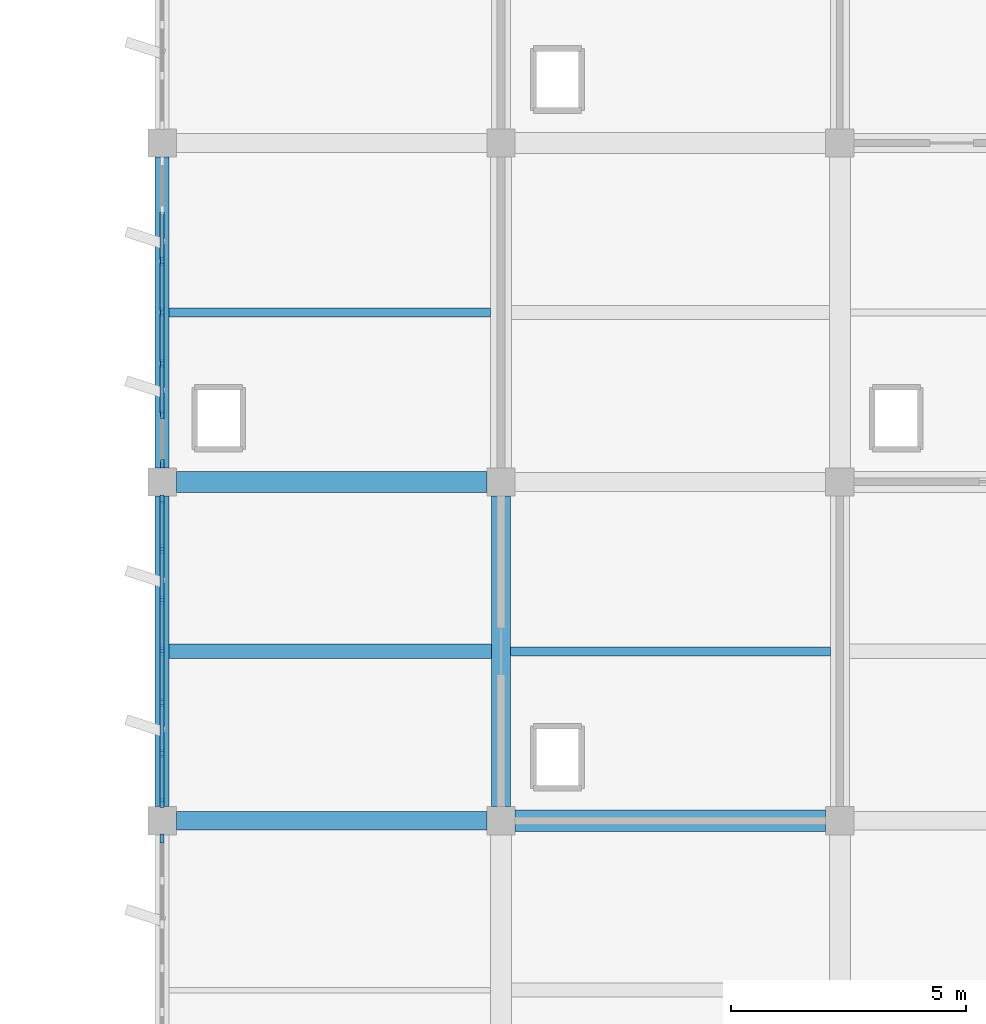
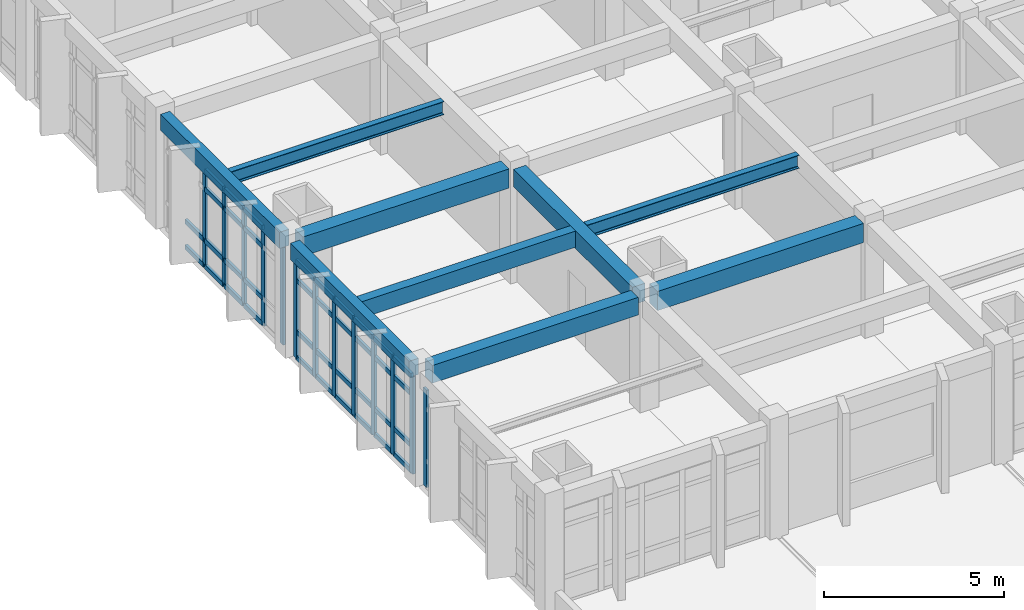
# One storey, part 15 of 62: 53 members, 7 beams, 3 elements without a shape of their own.
"""IFC4 building model written with IfcOpenShell, lengths in metres."""

from ifc_helpers import new_model, si_unit, direction, frame, origin, origin_2d, place, context, subcontext, project, spatial, rectangle, i_section, extrude, material, layer, layer_set, material_profile, profile_set, type_object, element, aggregate, save


model = new_model("IFC4")

# Units and contexts
model_context = context("Model", 3, precision=1e-05, world=origin(), true_north=direction((0.0, 1.0)))
body_context = subcontext(model_context, "Body", "Model", "MODEL_VIEW")
ifc_project = project(units=[si_unit("LENGTHUNIT", "METRE"), si_unit("AREAUNIT", "SQUARE_METRE"), si_unit("VOLUMEUNIT", "CUBIC_METRE"), si_unit("PLANEANGLEUNIT", "RADIAN"), si_unit("MASSUNIT", "GRAM", prefix="KILO")], contexts=[model_context])

# Site, building, storey
site_placement = place(None, origin())
site = spatial("IfcSite", under=ifc_project, at=site_placement, CompositionType="ELEMENT")
building_placement = place(site_placement, origin())
building = spatial("IfcBuilding", under=site, at=building_placement, Name="Kavelor Marine Aquarium", CompositionType="ELEMENT")
storey_placement = place(building_placement, frame((0.0, 0.0, 13.5)))
storey = spatial("IfcBuildingStorey", under=building, at=storey_placement, Name="L03", CompositionType="ELEMENT", Elevation=13.5)

# Beams
ifc_material_1 = material(Name="Concrete C40/50", Category="concrete")
ifc_material_profile_1 = material_profile(ifc_material_1, rectangle(XDim=0.449951171875, YDim=0.64990234375, at=origin_2d()), Name="RC-BM 450x650")
ifc_profile_set_1 = profile_set([ifc_material_profile_1], Name="Concrete C40/50")
beam_type_1 = type_object("IfcBeamType", Name="BM-B3", PredefinedType="BEAM", material=ifc_profile_set_1)
for number, where, z_axis, x_axis, name in (
    (1, (118.699951171875, 74.800048828125, 3.534912109375), (1.0, 0.0, 0.0), (0.0, 1.0, 0.0), "bm:x:L03:L04:16_10"),
    (2, (125.89990234375, 67.60009765625, 3.534912109375), (1.0, 0.0, 0.0), (0.0, 1.0, 0.0), "bm:x:L03:L04:17_09"),
):
    element("IfcBeam", number, at=place(storey_placement, frame(where, z_axis=z_axis, x_axis=x_axis)), inside=storey, type_object=beam_type_1, Name=name, PredefinedType="BEAM", context=body_context, shape_type="SweptSolid", body=[
        extrude(rectangle(XDim=0.449951171875, YDim=0.64990234375, at=origin_2d()), origin(), (0.0, 0.0, 1.0), 6.60009765625),
    ])
ifc_material_2 = material(Name="Concrete C40/50", Category="concrete")
ifc_material_profile_2 = material_profile(ifc_material_2, rectangle(XDim=0.39990234375, YDim=0.60009765625, at=origin_2d()), Name="RC-BM 400x600")
ifc_profile_set_2 = profile_set([ifc_material_profile_2], Name="Concrete C40/50")
beam_type_2 = type_object("IfcBeamType", Name="BM-B4", PredefinedType="BEAM", material=ifc_profile_set_2)
for number, where, z_axis, x_axis, name in (
    (3, (118.699951171875, 67.60009765625, 3.56005859375), (1.0, 0.0, 0.0), (0.0, 1.0, 0.0), "bm:x:L03:L04:16_09"),
    (4, (125.60009765625, 67.89990234375, 3.56005859375), (0.0, 1.0, 0.0), (-1.0, 0.0, 0.0), "bm:y:L03:L04:17_09"),
):
    element("IfcBeam", number, at=place(storey_placement, frame(where, z_axis=z_axis, x_axis=x_axis)), inside=storey, type_object=beam_type_2, Name=name, PredefinedType="BEAM", context=body_context, shape_type="SweptSolid", body=[
        extrude(rectangle(XDim=0.39990234375, YDim=0.60009765625, at=origin_2d()), origin(), (0.0, 0.0, 1.0), 6.60009765625),
    ])
ifc_material_3 = material(Name="Concrete C40/50", Category="concrete")
ifc_material_profile_3 = material_profile(ifc_material_3, rectangle(XDim=0.300048828125, YDim=0.550048828125, at=origin_2d()), Name="RC-JS 300x550")
ifc_profile_set_3 = profile_set([ifc_material_profile_3], Name="Concrete C40/50")
beam_type_3 = type_object("IfcBeamType", Name="BM-JS2", PredefinedType="JOIST", material=ifc_profile_set_3)
beam_1_placement = place(storey_placement, frame((118.550048828125, 71.199951171875, 3.5849609375), z_axis=(1.0, 0.0, 0.0), x_axis=(0.0, 1.0, 0.0)))
element("IfcBeam", 5, at=beam_1_placement, inside=storey, type_object=beam_type_3, Name="js:L03:L04:16_09", PredefinedType="JOIST", context=body_context, shape_type="SweptSolid", body=[
    extrude(rectangle(XDim=0.300048828125, YDim=0.550048828125, at=origin_2d()), origin(), (0.0, 0.0, 1.0), 6.849853515625),
])
ifc_material_4 = material(Name="Concrete C40/50", Category="concrete")
ifc_material_profile_4 = material_profile(ifc_material_4, rectangle(XDim=0.300048828125, YDim=0.550048828125, at=origin_2d()), Name="RC-SP 300x550")
ifc_profile_set_4 = profile_set([ifc_material_profile_4], Name="Concrete C40/50")
beam_type_4 = type_object("IfcBeamType", Name="BM-SP2", PredefinedType="SPANDREL", material=ifc_profile_set_4)
beam_2_placement = place(storey_placement, frame((118.39990234375, 67.89990234375, 3.5849609375), z_axis=(0.0, 1.0, 0.0), x_axis=(-1.0, 0.0, 0.0)))
element("IfcBeam", 6, at=beam_2_placement, inside=storey, type_object=beam_type_4, Name="bm:y:L03:L04:16_09", PredefinedType="SPANDREL", context=body_context, shape_type="SweptSolid", body=[
    extrude(rectangle(XDim=0.300048828125, YDim=0.550048828125, at=origin_2d()), origin(), (0.0, 0.0, 1.0), 6.60009765625),
])
beam_3_placement = place(storey_placement, frame((118.39990234375, 75.10009765625, 3.5849609375), z_axis=(0.0, 1.0, 0.0), x_axis=(-1.0, 0.0, 0.0)))
element("IfcBeam", 7, at=beam_3_placement, inside=storey, type_object=beam_type_4, Name="bm:y:L03:L04:16_10", PredefinedType="SPANDREL", context=body_context, shape_type="SweptSolid", body=[
    extrude(rectangle(XDim=0.300048828125, YDim=0.550048828125, at=origin_2d()), origin(), (0.0, 0.0, 1.0), 6.599853515625),
])

# Curtain wall, members
ifc_material_5 = material(Name="Thermally Broken Aluminium and Low-E Glass", Category="aluminium")
ifc_layer_1 = layer(ifc_material_5, 0.172119140625)
ifc_layer_set_1 = layer_set([ifc_layer_1], Name="CW-SYS4")
curtain_wall_type_1 = type_object("IfcCurtainWallType", Name="CW-SYS4", PredefinedType="USERDEFINED", material=ifc_layer_set_1)
curtain_wall_1_placement = place(storey_placement, origin())
curtain_wall_1 = element("IfcCurtainWall", 8, at=curtain_wall_1_placement, inside=storey, type_object=curtain_wall_type_1, Name="cw:y:L03:16_10", ObjectType="Curtain Wall", PredefinedType="USERDEFINED")
ifc_material_6 = material(Name="Anodised Aluminium Alloy 6063-T6", Category="aluminium")
ifc_material_profile_5 = material_profile(ifc_material_6, rectangle(XDim=0.074951171875, YDim=0.179931640625, at=origin_2d()), Name="CW-MUL 75x180")
ifc_profile_set_5 = profile_set([ifc_material_profile_5], Name="Anodised Aluminium Alloy 6063-T6")
member_type_1 = type_object("IfcMemberType", Name="CWM-1", PredefinedType="MULLION", material=ifc_profile_set_5)
member_1_placement = place(storey_placement, frame((118.39990234375, 79.485107421875, 0.0), z_axis=(0.0, 0.0, 1.0), x_axis=(1.0, 0.0, 0.0)))
member_1 = element("IfcMember", 9, at=member_1_placement, type_object=member_type_1, Name="CW04 mullion 3", PredefinedType="MULLION", context=body_context, shape_type="SweptSolid", body=[
    extrude(rectangle(XDim=0.074951171875, YDim=0.179931640625, at=origin_2d()), origin(), (0.0, 0.0, 1.0), 3.300048828125),
])
member_2_placement = place(storey_placement, frame((118.39990234375, 78.39990234375, 0.0), z_axis=(0.0, 0.0, 1.0), x_axis=(1.0, 0.0, 0.0)))
member_2 = element("IfcMember", 10, at=member_2_placement, type_object=member_type_1, Name="CW04 mullion 4", PredefinedType="MULLION", context=body_context, shape_type="SweptSolid", body=[
    extrude(rectangle(XDim=0.074951171875, YDim=0.179931640625, at=origin_2d()), origin(), (0.0, 0.0, 1.0), 3.300048828125),
])
member_3_placement = place(storey_placement, frame((118.39990234375, 77.31494140625, 0.0), z_axis=(0.0, 0.0, 1.0), x_axis=(1.0, 0.0, 0.0)))
member_3 = element("IfcMember", 11, at=member_3_placement, type_object=member_type_1, Name="CW04 mullion 5", PredefinedType="MULLION", context=body_context, shape_type="SweptSolid", body=[
    extrude(rectangle(XDim=0.074951171875, YDim=0.179931640625, at=origin_2d()), origin(), (0.0, 0.0, 1.0), 3.300048828125),
])
member_4_placement = place(storey_placement, frame((118.39990234375, 76.22998046875, 0.0), z_axis=(0.0, 0.0, 1.0), x_axis=(1.0, 0.0, 0.0)))
member_4 = element("IfcMember", 12, at=member_4_placement, type_object=member_type_1, Name="CW04 mullion 6", PredefinedType="MULLION", context=body_context, shape_type="SweptSolid", body=[
    extrude(rectangle(XDim=0.074951171875, YDim=0.179931640625, at=origin_2d()), origin(), (0.0, 0.0, 1.0), 3.300048828125),
])
member_5_placement = place(storey_placement, frame((118.39990234375, 75.1826171875, 0.0), z_axis=(0.0, 0.0, 1.0), x_axis=(1.0, 0.0, 0.0)))
member_5 = element("IfcMember", 13, at=member_5_placement, type_object=member_type_1, Name="CW04 mullion 7", PredefinedType="MULLION", context=body_context, shape_type="SweptSolid", body=[
    extrude(rectangle(XDim=0.074951171875, YDim=0.179931640625, at=origin_2d()), origin(), (0.0, 0.0, 1.0), 3.300048828125),
])

# Curtain wall, member
ifc_material_7 = material(Name="Thermally Broken Aluminium and Low-E Glass", Category="aluminium")
ifc_layer_2 = layer(ifc_material_7, 0.156005859375)
ifc_layer_set_2 = layer_set([ifc_layer_2], Name="CW-SYS2")
curtain_wall_type_2 = type_object("IfcCurtainWallType", Name="CW-SYS2", PredefinedType="USERDEFINED", material=ifc_layer_set_2)
curtain_wall_2_placement = place(storey_placement, origin())
curtain_wall_2 = element("IfcCurtainWall", 14, at=curtain_wall_2_placement, inside=storey, type_object=curtain_wall_type_2, Name="cw:y:L03:16_08", ObjectType="Curtain Wall", PredefinedType="USERDEFINED")
ifc_material_8 = material(Name="Anodised Aluminium Alloy 6063-T6", Category="aluminium")
ifc_material_profile_6 = material_profile(ifc_material_8, rectangle(XDim=0.080078125, YDim=0.18505859375, at=origin_2d()), Name="CW-MUL 80x185")
ifc_profile_set_6 = profile_set([ifc_material_profile_6], Name="Anodised Aluminium Alloy 6063-T6")
member_type_2 = type_object("IfcMemberType", Name="CWM-2", PredefinedType="MULLION", material=ifc_profile_set_6)
member_6_placement = place(storey_placement, frame((118.39990234375, 67.222412109375, 0.0), z_axis=(0.0, 0.0, 1.0), x_axis=(1.0, 0.0, 0.0)))
member_6 = element("IfcMember", 15, at=member_6_placement, type_object=member_type_2, Name="CW02 mullion 1", PredefinedType="MULLION", context=body_context, shape_type="SweptSolid", body=[
    extrude(rectangle(XDim=0.080078125, YDim=0.18505859375, at=origin_2d()), origin(), (0.0, 0.0, 1.0), 3.300048828125),
])
aggregate(curtain_wall_2, [member_6])

# Curtain wall, members
ifc_material_9 = material(Name="Thermally Broken Aluminium and Low-E Glass", Category="aluminium")
ifc_layer_3 = layer(ifc_material_9, 0.1640625)
ifc_layer_set_3 = layer_set([ifc_layer_3], Name="CW-SYS3")
curtain_wall_type_3 = type_object("IfcCurtainWallType", Name="CW-SYS3", PredefinedType="USERDEFINED", material=ifc_layer_set_3)
curtain_wall_3_placement = place(storey_placement, origin())
curtain_wall_3 = element("IfcCurtainWall", 16, at=curtain_wall_3_placement, inside=storey, type_object=curtain_wall_type_3, Name="cw:y:L03:16_09", ObjectType="Curtain Wall", PredefinedType="USERDEFINED")
ifc_material_10 = material(Name="Anodised Aluminium Alloy 6063-T6", Category="aluminium")
ifc_material_profile_7 = material_profile(ifc_material_10, rectangle(XDim=0.0849609375, YDim=0.18994140625, at=origin_2d()), Name="CW-MUL 85x190")
ifc_profile_set_7 = profile_set([ifc_material_profile_7], Name="Anodised Aluminium Alloy 6063-T6")
member_type_3 = type_object("IfcMemberType", Name="CWM-3", PredefinedType="MULLION", material=ifc_profile_set_7)
member_7_placement = place(storey_placement, frame((118.39990234375, 74.425048828125, 0.0), z_axis=(0.0, 0.0, 1.0), x_axis=(1.0, 0.0, 0.0)))
member_7 = element("IfcMember", 17, at=member_7_placement, type_object=member_type_3, Name="CW03 mullion 1", PredefinedType="MULLION", context=body_context, shape_type="SweptSolid", body=[
    extrude(rectangle(XDim=0.0849609375, YDim=0.18994140625, at=origin_2d()), origin(), (0.0, 0.0, 1.0), 3.300048828125),
])
member_8_placement = place(storey_placement, frame((118.39990234375, 73.3701171875, 0.0), z_axis=(0.0, 0.0, 1.0), x_axis=(1.0, 0.0, 0.0)))
member_8 = element("IfcMember", 18, at=member_8_placement, type_object=member_type_3, Name="CW03 mullion 2", PredefinedType="MULLION", context=body_context, shape_type="SweptSolid", body=[
    extrude(rectangle(XDim=0.0849609375, YDim=0.18994140625, at=origin_2d()), origin(), (0.0, 0.0, 1.0), 3.300048828125),
])
member_9_placement = place(storey_placement, frame((118.39990234375, 72.284912109375, 0.0), z_axis=(0.0, 0.0, 1.0), x_axis=(1.0, 0.0, 0.0)))
member_9 = element("IfcMember", 19, at=member_9_placement, type_object=member_type_3, Name="CW03 mullion 3", PredefinedType="MULLION", context=body_context, shape_type="SweptSolid", body=[
    extrude(rectangle(XDim=0.0849609375, YDim=0.18994140625, at=origin_2d()), origin(), (0.0, 0.0, 1.0), 3.300048828125),
])
member_10_placement = place(storey_placement, frame((118.39990234375, 71.199951171875, 0.0), z_axis=(0.0, 0.0, 1.0), x_axis=(1.0, 0.0, 0.0)))
member_10 = element("IfcMember", 20, at=member_10_placement, type_object=member_type_3, Name="CW03 mullion 4", PredefinedType="MULLION", context=body_context, shape_type="SweptSolid", body=[
    extrude(rectangle(XDim=0.0849609375, YDim=0.18994140625, at=origin_2d()), origin(), (0.0, 0.0, 1.0), 3.300048828125),
])
member_11_placement = place(storey_placement, frame((118.39990234375, 70.114990234375, 0.0), z_axis=(0.0, 0.0, 1.0), x_axis=(1.0, 0.0, 0.0)))
member_11 = element("IfcMember", 21, at=member_11_placement, type_object=member_type_3, Name="CW03 mullion 5", PredefinedType="MULLION", context=body_context, shape_type="SweptSolid", body=[
    extrude(rectangle(XDim=0.0849609375, YDim=0.18994140625, at=origin_2d()), origin(), (0.0, 0.0, 1.0), 3.300048828125),
])
member_12_placement = place(storey_placement, frame((118.39990234375, 69.030029296875, 0.0), z_axis=(0.0, 0.0, 1.0), x_axis=(1.0, 0.0, 0.0)))
member_12 = element("IfcMember", 22, at=member_12_placement, type_object=member_type_3, Name="CW03 mullion 6", PredefinedType="MULLION", context=body_context, shape_type="SweptSolid", body=[
    extrude(rectangle(XDim=0.0849609375, YDim=0.18994140625, at=origin_2d()), origin(), (0.0, 0.0, 1.0), 3.300048828125),
])
member_13_placement = place(storey_placement, frame((118.39990234375, 67.97509765625, 0.0), z_axis=(0.0, 0.0, 1.0), x_axis=(1.0, 0.0, 0.0)))
member_13 = element("IfcMember", 23, at=member_13_placement, type_object=member_type_3, Name="CW03 mullion 7", PredefinedType="MULLION", context=body_context, shape_type="SweptSolid", body=[
    extrude(rectangle(XDim=0.0849609375, YDim=0.18994140625, at=origin_2d()), origin(), (0.0, 0.0, 1.0), 3.300048828125),
])
ifc_material_11 = material(Name="Anodised Aluminium Alloy 6063-T6", Category="aluminium")
ifc_material_profile_8 = material_profile(ifc_material_11, rectangle(XDim=0.080078125, YDim=0.155029296875, at=origin_2d()), Name="CW-TRN 80x155")
ifc_profile_set_8 = profile_set([ifc_material_profile_8], Name="Anodised Aluminium Alloy 6063-T6")
member_type_4 = type_object("IfcMemberType", Name="CWT-2", PredefinedType="USERDEFINED", material=ifc_profile_set_8)
member_14_placement = place(storey_placement, frame((118.39990234375, 74.39501953125, 0.032470703125), z_axis=(0.0, -1.0, 0.0), x_axis=(1.0, 0.0, 0.0)))
member_14 = element("IfcMember", 24, at=member_14_placement, type_object=member_type_4, Name="CW03 transom 1.1", ObjectType="TRANSOM", PredefinedType="USERDEFINED", context=body_context, shape_type="SweptSolid", body=[
    extrude(rectangle(XDim=0.080078125, YDim=0.155029296875, at=origin_2d()), origin(), (0.0, 0.0, 1.0), 0.9951171875),
])
member_15_placement = place(storey_placement, frame((118.39990234375, 74.39501953125, 0.89990234375), z_axis=(0.0, -1.0, 0.0), x_axis=(1.0, 0.0, 0.0)))
member_15 = element("IfcMember", 25, at=member_15_placement, type_object=member_type_4, Name="CW03 transom 1.2", ObjectType="TRANSOM", PredefinedType="USERDEFINED", context=body_context, shape_type="SweptSolid", body=[
    extrude(rectangle(XDim=0.080078125, YDim=0.155029296875, at=origin_2d()), origin(), (0.0, 0.0, 1.0), 0.9951171875),
])
member_16_placement = place(storey_placement, frame((118.39990234375, 74.39501953125, 2.64990234375), z_axis=(0.0, -1.0, 0.0), x_axis=(1.0, 0.0, 0.0)))
member_16 = element("IfcMember", 26, at=member_16_placement, type_object=member_type_4, Name="CW03 transom 1.3", ObjectType="TRANSOM", PredefinedType="USERDEFINED", context=body_context, shape_type="SweptSolid", body=[
    extrude(rectangle(XDim=0.080078125, YDim=0.155029296875, at=origin_2d()), origin(), (0.0, 0.0, 1.0), 0.9951171875),
])
member_17_placement = place(storey_placement, frame((118.39990234375, 74.39501953125, 3.267578125), z_axis=(0.0, -1.0, 0.0), x_axis=(1.0, 0.0, 0.0)))
member_17 = element("IfcMember", 27, at=member_17_placement, type_object=member_type_4, Name="CW03 transom 1.4", ObjectType="TRANSOM", PredefinedType="USERDEFINED", context=body_context, shape_type="SweptSolid", body=[
    extrude(rectangle(XDim=0.080078125, YDim=0.155029296875, at=origin_2d()), origin(), (0.0, 0.0, 1.0), 0.9951171875),
])
member_18_placement = place(storey_placement, frame((118.39990234375, 73.340087890625, 0.032470703125), z_axis=(0.0, -1.0, 0.0), x_axis=(1.0, 0.0, 0.0)))
member_18 = element("IfcMember", 28, at=member_18_placement, type_object=member_type_4, Name="CW03 transom 2.1", ObjectType="TRANSOM", PredefinedType="USERDEFINED", context=body_context, shape_type="SweptSolid", body=[
    extrude(rectangle(XDim=0.080078125, YDim=0.155029296875, at=origin_2d()), origin(), (0.0, 0.0, 1.0), 1.025146484375),
])
member_19_placement = place(storey_placement, frame((118.39990234375, 73.340087890625, 0.89990234375), z_axis=(0.0, -1.0, 0.0), x_axis=(1.0, 0.0, 0.0)))
member_19 = element("IfcMember", 29, at=member_19_placement, type_object=member_type_4, Name="CW03 transom 2.2", ObjectType="TRANSOM", PredefinedType="USERDEFINED", context=body_context, shape_type="SweptSolid", body=[
    extrude(rectangle(XDim=0.080078125, YDim=0.155029296875, at=origin_2d()), origin(), (0.0, 0.0, 1.0), 1.025146484375),
])
member_20_placement = place(storey_placement, frame((118.39990234375, 73.340087890625, 2.64990234375), z_axis=(0.0, -1.0, 0.0), x_axis=(1.0, 0.0, 0.0)))
member_20 = element("IfcMember", 30, at=member_20_placement, type_object=member_type_4, Name="CW03 transom 2.3", ObjectType="TRANSOM", PredefinedType="USERDEFINED", context=body_context, shape_type="SweptSolid", body=[
    extrude(rectangle(XDim=0.080078125, YDim=0.155029296875, at=origin_2d()), origin(), (0.0, 0.0, 1.0), 1.025146484375),
])
member_21_placement = place(storey_placement, frame((118.39990234375, 73.340087890625, 3.267578125), z_axis=(0.0, -1.0, 0.0), x_axis=(1.0, 0.0, 0.0)))
member_21 = element("IfcMember", 31, at=member_21_placement, type_object=member_type_4, Name="CW03 transom 2.4", ObjectType="TRANSOM", PredefinedType="USERDEFINED", context=body_context, shape_type="SweptSolid", body=[
    extrude(rectangle(XDim=0.080078125, YDim=0.155029296875, at=origin_2d()), origin(), (0.0, 0.0, 1.0), 1.025146484375),
])
member_22_placement = place(storey_placement, frame((118.39990234375, 72.2548828125, 0.032470703125), z_axis=(0.0, -1.0, 0.0), x_axis=(1.0, 0.0, 0.0)))
member_22 = element("IfcMember", 32, at=member_22_placement, type_object=member_type_4, Name="CW03 transom 3.1", ObjectType="TRANSOM", PredefinedType="USERDEFINED", context=body_context, shape_type="SweptSolid", body=[
    extrude(rectangle(XDim=0.080078125, YDim=0.155029296875, at=origin_2d()), origin(), (0.0, 0.0, 1.0), 1.02490234375),
])
member_23_placement = place(storey_placement, frame((118.39990234375, 72.2548828125, 0.89990234375), z_axis=(0.0, -1.0, 0.0), x_axis=(1.0, 0.0, 0.0)))
member_23 = element("IfcMember", 33, at=member_23_placement, type_object=member_type_4, Name="CW03 transom 3.2", ObjectType="TRANSOM", PredefinedType="USERDEFINED", context=body_context, shape_type="SweptSolid", body=[
    extrude(rectangle(XDim=0.080078125, YDim=0.155029296875, at=origin_2d()), origin(), (0.0, 0.0, 1.0), 1.02490234375),
])
member_24_placement = place(storey_placement, frame((118.39990234375, 72.2548828125, 2.64990234375), z_axis=(0.0, -1.0, 0.0), x_axis=(1.0, 0.0, 0.0)))
member_24 = element("IfcMember", 34, at=member_24_placement, type_object=member_type_4, Name="CW03 transom 3.3", ObjectType="TRANSOM", PredefinedType="USERDEFINED", context=body_context, shape_type="SweptSolid", body=[
    extrude(rectangle(XDim=0.080078125, YDim=0.155029296875, at=origin_2d()), origin(), (0.0, 0.0, 1.0), 1.02490234375),
])
member_25_placement = place(storey_placement, frame((118.39990234375, 72.2548828125, 3.267578125), z_axis=(0.0, -1.0, 0.0), x_axis=(1.0, 0.0, 0.0)))
member_25 = element("IfcMember", 35, at=member_25_placement, type_object=member_type_4, Name="CW03 transom 3.4", ObjectType="TRANSOM", PredefinedType="USERDEFINED", context=body_context, shape_type="SweptSolid", body=[
    extrude(rectangle(XDim=0.080078125, YDim=0.155029296875, at=origin_2d()), origin(), (0.0, 0.0, 1.0), 1.02490234375),
])
member_26_placement = place(storey_placement, frame((118.39990234375, 71.169921875, 0.032470703125), z_axis=(0.0, -1.0, 0.0), x_axis=(1.0, 0.0, 0.0)))
member_26 = element("IfcMember", 36, at=member_26_placement, type_object=member_type_4, Name="CW03 transom 4.1", ObjectType="TRANSOM", PredefinedType="USERDEFINED", context=body_context, shape_type="SweptSolid", body=[
    extrude(rectangle(XDim=0.080078125, YDim=0.155029296875, at=origin_2d()), origin(), (0.0, 0.0, 1.0), 1.02490234375),
])
member_27_placement = place(storey_placement, frame((118.39990234375, 71.169921875, 0.89990234375), z_axis=(0.0, -1.0, 0.0), x_axis=(1.0, 0.0, 0.0)))
member_27 = element("IfcMember", 37, at=member_27_placement, type_object=member_type_4, Name="CW03 transom 4.2", ObjectType="TRANSOM", PredefinedType="USERDEFINED", context=body_context, shape_type="SweptSolid", body=[
    extrude(rectangle(XDim=0.080078125, YDim=0.155029296875, at=origin_2d()), origin(), (0.0, 0.0, 1.0), 1.02490234375),
])
member_28_placement = place(storey_placement, frame((118.39990234375, 71.169921875, 2.64990234375), z_axis=(0.0, -1.0, 0.0), x_axis=(1.0, 0.0, 0.0)))
member_28 = element("IfcMember", 38, at=member_28_placement, type_object=member_type_4, Name="CW03 transom 4.3", ObjectType="TRANSOM", PredefinedType="USERDEFINED", context=body_context, shape_type="SweptSolid", body=[
    extrude(rectangle(XDim=0.080078125, YDim=0.155029296875, at=origin_2d()), origin(), (0.0, 0.0, 1.0), 1.02490234375),
])
member_29_placement = place(storey_placement, frame((118.39990234375, 71.169921875, 3.267578125), z_axis=(0.0, -1.0, 0.0), x_axis=(1.0, 0.0, 0.0)))
member_29 = element("IfcMember", 39, at=member_29_placement, type_object=member_type_4, Name="CW03 transom 4.4", ObjectType="TRANSOM", PredefinedType="USERDEFINED", context=body_context, shape_type="SweptSolid", body=[
    extrude(rectangle(XDim=0.080078125, YDim=0.155029296875, at=origin_2d()), origin(), (0.0, 0.0, 1.0), 1.02490234375),
])
member_30_placement = place(storey_placement, frame((118.39990234375, 70.0849609375, 0.032470703125), z_axis=(0.0, -1.0, 0.0), x_axis=(1.0, 0.0, 0.0)))
member_30 = element("IfcMember", 40, at=member_30_placement, type_object=member_type_4, Name="CW03 transom 5.1", ObjectType="TRANSOM", PredefinedType="USERDEFINED", context=body_context, shape_type="SweptSolid", body=[
    extrude(rectangle(XDim=0.080078125, YDim=0.155029296875, at=origin_2d()), origin(), (0.0, 0.0, 1.0), 1.02490234375),
])
member_31_placement = place(storey_placement, frame((118.39990234375, 70.0849609375, 0.89990234375), z_axis=(0.0, -1.0, 0.0), x_axis=(1.0, 0.0, 0.0)))
member_31 = element("IfcMember", 41, at=member_31_placement, type_object=member_type_4, Name="CW03 transom 5.2", ObjectType="TRANSOM", PredefinedType="USERDEFINED", context=body_context, shape_type="SweptSolid", body=[
    extrude(rectangle(XDim=0.080078125, YDim=0.155029296875, at=origin_2d()), origin(), (0.0, 0.0, 1.0), 1.02490234375),
])
member_32_placement = place(storey_placement, frame((118.39990234375, 70.0849609375, 2.64990234375), z_axis=(0.0, -1.0, 0.0), x_axis=(1.0, 0.0, 0.0)))
member_32 = element("IfcMember", 42, at=member_32_placement, type_object=member_type_4, Name="CW03 transom 5.3", ObjectType="TRANSOM", PredefinedType="USERDEFINED", context=body_context, shape_type="SweptSolid", body=[
    extrude(rectangle(XDim=0.080078125, YDim=0.155029296875, at=origin_2d()), origin(), (0.0, 0.0, 1.0), 1.02490234375),
])
member_33_placement = place(storey_placement, frame((118.39990234375, 70.0849609375, 3.267578125), z_axis=(0.0, -1.0, 0.0), x_axis=(1.0, 0.0, 0.0)))
member_33 = element("IfcMember", 43, at=member_33_placement, type_object=member_type_4, Name="CW03 transom 5.4", ObjectType="TRANSOM", PredefinedType="USERDEFINED", context=body_context, shape_type="SweptSolid", body=[
    extrude(rectangle(XDim=0.080078125, YDim=0.155029296875, at=origin_2d()), origin(), (0.0, 0.0, 1.0), 1.02490234375),
])
member_34_placement = place(storey_placement, frame((118.39990234375, 69.0, 0.032470703125), z_axis=(0.0, -1.0, 0.0), x_axis=(1.0, 0.0, 0.0)))
member_34 = element("IfcMember", 44, at=member_34_placement, type_object=member_type_4, Name="CW03 transom 6.1", ObjectType="TRANSOM", PredefinedType="USERDEFINED", context=body_context, shape_type="SweptSolid", body=[
    extrude(rectangle(XDim=0.080078125, YDim=0.155029296875, at=origin_2d()), origin(), (0.0, 0.0, 1.0), 0.9951171875),
])
member_35_placement = place(storey_placement, frame((118.39990234375, 69.0, 0.89990234375), z_axis=(0.0, -1.0, 0.0), x_axis=(1.0, 0.0, 0.0)))
member_35 = element("IfcMember", 45, at=member_35_placement, type_object=member_type_4, Name="CW03 transom 6.2", ObjectType="TRANSOM", PredefinedType="USERDEFINED", context=body_context, shape_type="SweptSolid", body=[
    extrude(rectangle(XDim=0.080078125, YDim=0.155029296875, at=origin_2d()), origin(), (0.0, 0.0, 1.0), 0.9951171875),
])
member_36_placement = place(storey_placement, frame((118.39990234375, 69.0, 2.64990234375), z_axis=(0.0, -1.0, 0.0), x_axis=(1.0, 0.0, 0.0)))
member_36 = element("IfcMember", 46, at=member_36_placement, type_object=member_type_4, Name="CW03 transom 6.3", ObjectType="TRANSOM", PredefinedType="USERDEFINED", context=body_context, shape_type="SweptSolid", body=[
    extrude(rectangle(XDim=0.080078125, YDim=0.155029296875, at=origin_2d()), origin(), (0.0, 0.0, 1.0), 0.9951171875),
])
member_37_placement = place(storey_placement, frame((118.39990234375, 69.0, 3.267578125), z_axis=(0.0, -1.0, 0.0), x_axis=(1.0, 0.0, 0.0)))
member_37 = element("IfcMember", 47, at=member_37_placement, type_object=member_type_4, Name="CW03 transom 6.4", ObjectType="TRANSOM", PredefinedType="USERDEFINED", context=body_context, shape_type="SweptSolid", body=[
    extrude(rectangle(XDim=0.080078125, YDim=0.155029296875, at=origin_2d()), origin(), (0.0, 0.0, 1.0), 0.9951171875),
])
aggregate(curtain_wall_3, [member_7, member_8, member_9, member_10, member_11, member_12, member_13, member_14, member_15, member_16, member_17, member_18, member_19, member_20, member_21, member_22, member_23, member_24, member_25, member_26, member_27, member_28, member_29, member_30, member_31, member_32, member_33, member_34, member_35, member_36, member_37])

# Member
ifc_material_12 = material(Name="Anodised Aluminium Alloy 6063-T6", Category="aluminium")
ifc_material_profile_9 = material_profile(ifc_material_12, rectangle(XDim=0.0849609375, YDim=0.159912109375, at=origin_2d()), Name="CW-TRN 85x160")
ifc_profile_set_9 = profile_set([ifc_material_profile_9], Name="Anodised Aluminium Alloy 6063-T6")
member_type_5 = type_object("IfcMemberType", Name="CWT-3", PredefinedType="USERDEFINED", material=ifc_profile_set_9)
member_38_placement = place(storey_placement, frame((118.39990234375, 80.532470703125, 0.030029296875), z_axis=(0.0, -1.0, 0.0), x_axis=(1.0, 0.0, 0.0)))
member_38 = element("IfcMember", 48, at=member_38_placement, type_object=member_type_5, Name="CW04 transom 2.1", ObjectType="TRANSOM", PredefinedType="USERDEFINED", context=body_context, shape_type="SweptSolid", body=[
    extrude(rectangle(XDim=0.0849609375, YDim=0.159912109375, at=origin_2d()), origin(), (0.0, 0.0, 1.0), 1.010009765625),
])

member_39_placement = place(storey_placement, frame((118.39990234375, 80.532470703125, 0.89990234375), z_axis=(0.0, -1.0, 0.0), x_axis=(1.0, 0.0, 0.0)))
member_39 = element("IfcMember", 49, at=member_39_placement, type_object=member_type_5, Name="CW04 transom 2.2", ObjectType="TRANSOM", PredefinedType="USERDEFINED", context=body_context, shape_type="SweptSolid", body=[
    extrude(rectangle(XDim=0.0849609375, YDim=0.159912109375, at=origin_2d()), origin(), (0.0, 0.0, 1.0), 1.010009765625),
])

member_40_placement = place(storey_placement, frame((118.39990234375, 79.447509765625, 0.030029296875), z_axis=(0.0, -1.0, 0.0), x_axis=(1.0, 0.0, 0.0)))
member_40 = element("IfcMember", 50, at=member_40_placement, type_object=member_type_5, Name="CW04 transom 3.1", ObjectType="TRANSOM", PredefinedType="USERDEFINED", context=body_context, shape_type="SweptSolid", body=[
    extrude(rectangle(XDim=0.0849609375, YDim=0.159912109375, at=origin_2d()), origin(), (0.0, 0.0, 1.0), 1.010009765625),
])

member_41_placement = place(storey_placement, frame((118.39990234375, 79.447509765625, 0.89990234375), z_axis=(0.0, -1.0, 0.0), x_axis=(1.0, 0.0, 0.0)))
member_41 = element("IfcMember", 51, at=member_41_placement, type_object=member_type_5, Name="CW04 transom 3.2", ObjectType="TRANSOM", PredefinedType="USERDEFINED", context=body_context, shape_type="SweptSolid", body=[
    extrude(rectangle(XDim=0.0849609375, YDim=0.159912109375, at=origin_2d()), origin(), (0.0, 0.0, 1.0), 1.010009765625),
])

member_42_placement = place(storey_placement, frame((118.39990234375, 79.447509765625, 2.64990234375), z_axis=(0.0, -1.0, 0.0), x_axis=(1.0, 0.0, 0.0)))
member_42 = element("IfcMember", 52, at=member_42_placement, type_object=member_type_5, Name="CW04 transom 3.3", ObjectType="TRANSOM", PredefinedType="USERDEFINED", context=body_context, shape_type="SweptSolid", body=[
    extrude(rectangle(XDim=0.0849609375, YDim=0.159912109375, at=origin_2d()), origin(), (0.0, 0.0, 1.0), 1.010009765625),
])

member_43_placement = place(storey_placement, frame((118.39990234375, 79.447509765625, 3.27001953125), z_axis=(0.0, -1.0, 0.0), x_axis=(1.0, 0.0, 0.0)))
member_43 = element("IfcMember", 53, at=member_43_placement, type_object=member_type_5, Name="CW04 transom 3.4", ObjectType="TRANSOM", PredefinedType="USERDEFINED", context=body_context, shape_type="SweptSolid", body=[
    extrude(rectangle(XDim=0.0849609375, YDim=0.159912109375, at=origin_2d()), origin(), (0.0, 0.0, 1.0), 1.010009765625),
])

member_44_placement = place(storey_placement, frame((118.39990234375, 78.362548828125, 0.030029296875), z_axis=(0.0, -1.0, 0.0), x_axis=(1.0, 0.0, 0.0)))
member_44 = element("IfcMember", 54, at=member_44_placement, type_object=member_type_5, Name="CW04 transom 4.1", ObjectType="TRANSOM", PredefinedType="USERDEFINED", context=body_context, shape_type="SweptSolid", body=[
    extrude(rectangle(XDim=0.0849609375, YDim=0.159912109375, at=origin_2d()), origin(), (0.0, 0.0, 1.0), 1.010009765625),
])

member_45_placement = place(storey_placement, frame((118.39990234375, 78.362548828125, 0.89990234375), z_axis=(0.0, -1.0, 0.0), x_axis=(1.0, 0.0, 0.0)))
member_45 = element("IfcMember", 55, at=member_45_placement, type_object=member_type_5, Name="CW04 transom 4.2", ObjectType="TRANSOM", PredefinedType="USERDEFINED", context=body_context, shape_type="SweptSolid", body=[
    extrude(rectangle(XDim=0.0849609375, YDim=0.159912109375, at=origin_2d()), origin(), (0.0, 0.0, 1.0), 1.010009765625),
])

member_46_placement = place(storey_placement, frame((118.39990234375, 78.362548828125, 2.64990234375), z_axis=(0.0, -1.0, 0.0), x_axis=(1.0, 0.0, 0.0)))
member_46 = element("IfcMember", 56, at=member_46_placement, type_object=member_type_5, Name="CW04 transom 4.3", ObjectType="TRANSOM", PredefinedType="USERDEFINED", context=body_context, shape_type="SweptSolid", body=[
    extrude(rectangle(XDim=0.0849609375, YDim=0.159912109375, at=origin_2d()), origin(), (0.0, 0.0, 1.0), 1.010009765625),
])

member_47_placement = place(storey_placement, frame((118.39990234375, 78.362548828125, 3.27001953125), z_axis=(0.0, -1.0, 0.0), x_axis=(1.0, 0.0, 0.0)))
member_47 = element("IfcMember", 57, at=member_47_placement, type_object=member_type_5, Name="CW04 transom 4.4", ObjectType="TRANSOM", PredefinedType="USERDEFINED", context=body_context, shape_type="SweptSolid", body=[
    extrude(rectangle(XDim=0.0849609375, YDim=0.159912109375, at=origin_2d()), origin(), (0.0, 0.0, 1.0), 1.010009765625),
])

member_48_placement = place(storey_placement, frame((118.39990234375, 77.277587890625, 0.030029296875), z_axis=(0.0, -1.0, 0.0), x_axis=(1.0, 0.0, 0.0)))
member_48 = element("IfcMember", 58, at=member_48_placement, type_object=member_type_5, Name="CW04 transom 5.1", ObjectType="TRANSOM", PredefinedType="USERDEFINED", context=body_context, shape_type="SweptSolid", body=[
    extrude(rectangle(XDim=0.0849609375, YDim=0.159912109375, at=origin_2d()), origin(), (0.0, 0.0, 1.0), 1.010009765625),
])

member_49_placement = place(storey_placement, frame((118.39990234375, 77.277587890625, 0.89990234375), z_axis=(0.0, -1.0, 0.0), x_axis=(1.0, 0.0, 0.0)))
member_49 = element("IfcMember", 59, at=member_49_placement, type_object=member_type_5, Name="CW04 transom 5.2", ObjectType="TRANSOM", PredefinedType="USERDEFINED", context=body_context, shape_type="SweptSolid", body=[
    extrude(rectangle(XDim=0.0849609375, YDim=0.159912109375, at=origin_2d()), origin(), (0.0, 0.0, 1.0), 1.010009765625),
])

member_50_placement = place(storey_placement, frame((118.39990234375, 77.277587890625, 2.64990234375), z_axis=(0.0, -1.0, 0.0), x_axis=(1.0, 0.0, 0.0)))
member_50 = element("IfcMember", 60, at=member_50_placement, type_object=member_type_5, Name="CW04 transom 5.3", ObjectType="TRANSOM", PredefinedType="USERDEFINED", context=body_context, shape_type="SweptSolid", body=[
    extrude(rectangle(XDim=0.0849609375, YDim=0.159912109375, at=origin_2d()), origin(), (0.0, 0.0, 1.0), 1.010009765625),
])

member_51_placement = place(storey_placement, frame((118.39990234375, 77.277587890625, 3.27001953125), z_axis=(0.0, -1.0, 0.0), x_axis=(1.0, 0.0, 0.0)))
member_51 = element("IfcMember", 61, at=member_51_placement, type_object=member_type_5, Name="CW04 transom 5.4", ObjectType="TRANSOM", PredefinedType="USERDEFINED", context=body_context, shape_type="SweptSolid", body=[
    extrude(rectangle(XDim=0.0849609375, YDim=0.159912109375, at=origin_2d()), origin(), (0.0, 0.0, 1.0), 1.010009765625),
])

aggregate(curtain_wall_1, [member_1, member_2, member_3, member_4, member_5, member_38, member_39, member_40, member_41, member_42, member_43, member_44, member_45, member_46, member_47, member_48, member_49, member_50, member_51])

# Members
ifc_material_13 = material(Name="Steel S355", Category="steel")
ifc_material_profile_10 = material_profile(ifc_material_13, i_section(OverallWidth=0.18994140625, OverallDepth=0.449951171875, WebThickness=0.009521484375, FlangeThickness=0.0146484375, FilletRadius=0.02099609375, at=origin_2d()), Name="IPE 450")
ifc_profile_set_10 = profile_set([ifc_material_profile_10], Name="Steel S355")
member_type_6 = type_object("IfcMemberType", Name="PR-SJ2", PredefinedType="PURLIN", material=ifc_profile_set_10)
member_52_placement = place(storey_placement, frame((118.550048828125, 78.39990234375, 3.635009765625), z_axis=(1.0, 0.0, 0.0), x_axis=(0.0, 1.0, 0.0)))
element("IfcMember", 62, at=member_52_placement, inside=storey, type_object=member_type_6, Name="js:L03:L04:16_10", PredefinedType="PURLIN", context=body_context, shape_type="SweptSolid", body=[
    extrude(i_section(OverallWidth=0.18994140625, OverallDepth=0.449951171875, WebThickness=0.009521484375, FlangeThickness=0.0146484375, FilletRadius=0.02099609375, at=origin_2d()), origin(), (0.0, 0.0, 1.0), 6.824951171875),
])
member_53_placement = place(storey_placement, frame((125.800048828125, 71.199951171875, 3.655029296875), z_axis=(1.0, 0.0, 0.0), x_axis=(0.0, 1.0, 0.0)))
element("IfcMember", 63, at=member_53_placement, inside=storey, type_object=member_type_6, Name="js:L03:L04:17_09", PredefinedType="PURLIN", context=body_context, shape_type="SweptSolid", body=[
    extrude(i_section(OverallWidth=0.18994140625, OverallDepth=0.449951171875, WebThickness=0.009521484375, FlangeThickness=0.0146484375, FilletRadius=0.02099609375, at=origin_2d()), origin(), (0.0, 0.0, 1.0), 6.800048828125),
])

save(model, "model.ifc")
